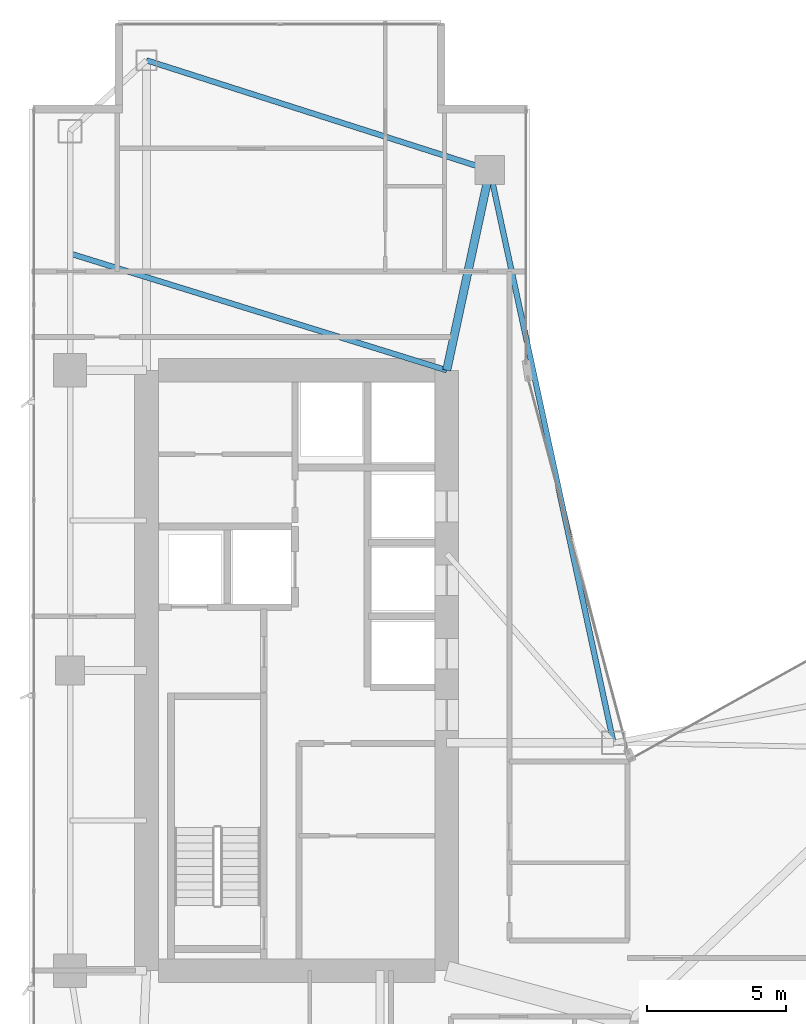
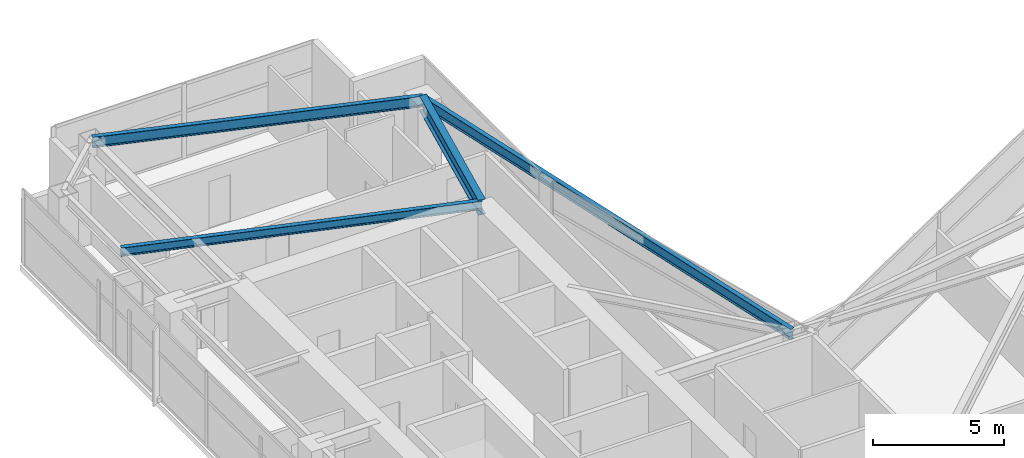
# One storey, part 17 of 28: 4 beams.
"""IFC4 building model written with IfcOpenShell, lengths in metres."""

from ifc_helpers import new_model, si_unit, direction, frame, origin, origin_2d, place, context, subcontext, project, spatial, i_section, extrude, material, material_profile, profile_set, type_object, element, save


model = new_model("IFC4")

# Units and contexts
model_context = context("Model", 3, precision=1e-05, world=origin(), true_north=direction((0.0, 1.0)))
body_context = subcontext(model_context, "Body", "Model", "MODEL_VIEW")
ifc_project = project(units=[si_unit("LENGTHUNIT", "METRE"), si_unit("AREAUNIT", "SQUARE_METRE"), si_unit("VOLUMEUNIT", "CUBIC_METRE"), si_unit("PLANEANGLEUNIT", "RADIAN"), si_unit("MASSUNIT", "GRAM", prefix="KILO")], contexts=[model_context])

# Site, building, storey
site_placement = place(None, origin())
site = spatial("IfcSite", under=ifc_project, at=site_placement, CompositionType="ELEMENT")
building_placement = place(site_placement, origin())
building = spatial("IfcBuilding", under=site, at=building_placement, Name="Calvorn Quay Hotel", CompositionType="ELEMENT")
storey_placement = place(building_placement, frame((0.0, 0.0, 135.39990234375)))
storey = spatial("IfcBuildingStorey", under=building, at=storey_placement, Name="L33", CompositionType="ELEMENT", Elevation=135.39990234375)

# Beams
ifc_material_1 = material(Name="Steel Q390GJC", Category="steel")
ifc_material_profile_1 = material_profile(ifc_material_1, i_section(OverallWidth=0.300048828125, OverallDepth=0.699951171875, WebThickness=0.012939453125, FlangeThickness=0.02392578125, FilletRadius=0.02392578125, at=origin_2d()), Name="HN700x300x13x24")
ifc_profile_set_1 = profile_set([ifc_material_profile_1], Name="Steel Q390GJC")
beam_type_1 = type_object("IfcBeamType", Name="BM-GIRD-MAIN", PredefinedType="BEAM", material=ifc_profile_set_1)
beam_1_placement = place(storey_placement, frame((16.550048828125, 45.60009765625, 3.170166015625), z_axis=(-0.210457140491, -0.97760308511, 0.0), x_axis=(0.97760308511, -0.210457140491, 0.0)))
element("IfcBeam", 1, at=beam_1_placement, inside=storey, type_object=beam_type_1, Name="Beam BG-L33-W6", PredefinedType="BEAM", context=body_context, shape_type="SweptSolid", body=[
    extrude(i_section(OverallWidth=0.300048828125, OverallDepth=0.699951171875, WebThickness=0.012939453125, FlangeThickness=0.02392578125, FilletRadius=0.02392578125, at=origin_2d()), origin(), (0.0, 0.0, 1.0), 7.365234375),
])
ifc_material_2 = material(Name="Steel Q355B", Category="steel")
ifc_material_profile_2 = material_profile(ifc_material_2, i_section(OverallWidth=0.199951171875, OverallDepth=0.39990234375, WebThickness=0.008056640625, FlangeThickness=0.012939453125, FilletRadius=0.01611328125, at=origin_2d()), Name="HN400x200x8x13")
ifc_profile_set_2 = profile_set([ifc_material_profile_2], Name="Steel Q355B")
beam_type_2 = type_object("IfcBeamType", Name="BM-JOIST-TYP", PredefinedType="JOIST", material=ifc_profile_set_2)
beam_2_placement = place(storey_placement, frame((1.449951171875, 42.60009765625, 3.320068359375), z_axis=(0.955163702122, -0.296078202759, 0.0), x_axis=(0.296078202759, 0.955163702122, 0.0)))
element("IfcBeam", 2, at=beam_2_placement, inside=storey, type_object=beam_type_2, Name="Beam BJ-L33-W2", PredefinedType="JOIST", context=body_context, shape_type="SweptSolid", body=[
    extrude(i_section(OverallWidth=0.199951171875, OverallDepth=0.39990234375, WebThickness=0.008056640625, FlangeThickness=0.012939453125, FilletRadius=0.01611328125, at=origin_2d()), origin(), (0.0, 0.0, 1.0), 14.18603515625),
])
ifc_material_3 = material(Name="Steel Q355B", Category="steel")
ifc_material_profile_3 = material_profile(ifc_material_3, i_section(OverallWidth=0.199951171875, OverallDepth=0.5, WebThickness=0.010009765625, FlangeThickness=0.01611328125, FilletRadius=0.01611328125, at=origin_2d()), Name="HN500x200x10x16")
ifc_profile_set_3 = profile_set([ifc_material_profile_3], Name="Steel Q355B")
beam_type_3 = type_object("IfcBeamType", Name="BM-SPANDREL-Z1", PredefinedType="SPANDREL", material=ifc_profile_set_3)
beam_3_placement = place(storey_placement, frame((4.199951171875, 49.550048828125, 3.27001953125), z_axis=(0.952470702374, -0.304630203885, 0.0), x_axis=(0.304630203885, 0.952470702374, 0.0)))
element("IfcBeam", 3, at=beam_3_placement, inside=storey, type_object=beam_type_3, Name="Beam BSP-L33-W6", PredefinedType="SPANDREL", context=body_context, shape_type="SweptSolid", body=[
    extrude(i_section(OverallWidth=0.199951171875, OverallDepth=0.5, WebThickness=0.010009765625, FlangeThickness=0.01611328125, FilletRadius=0.01611328125, at=origin_2d()), origin(), (0.0, 0.0, 1.0), 12.96630859375),
])
beam_4_placement = place(storey_placement, frame((16.550048828125, 45.60009765625, 3.27001953125), z_axis=(0.211145848376, -0.977454567084, 0.0), x_axis=(0.977454567084, 0.211145848376, 0.0)))
element("IfcBeam", 4, at=beam_4_placement, inside=storey, type_object=beam_type_3, Name="Beam BSP-L33-W7", PredefinedType="SPANDREL", context=body_context, shape_type="SweptSolid", body=[
    extrude(i_section(OverallWidth=0.199951171875, OverallDepth=0.5, WebThickness=0.010009765625, FlangeThickness=0.01611328125, FilletRadius=0.01611328125, at=origin_2d()), origin(), (0.0, 0.0, 1.0), 21.0751953125),
])

save(model, "model.ifc")
